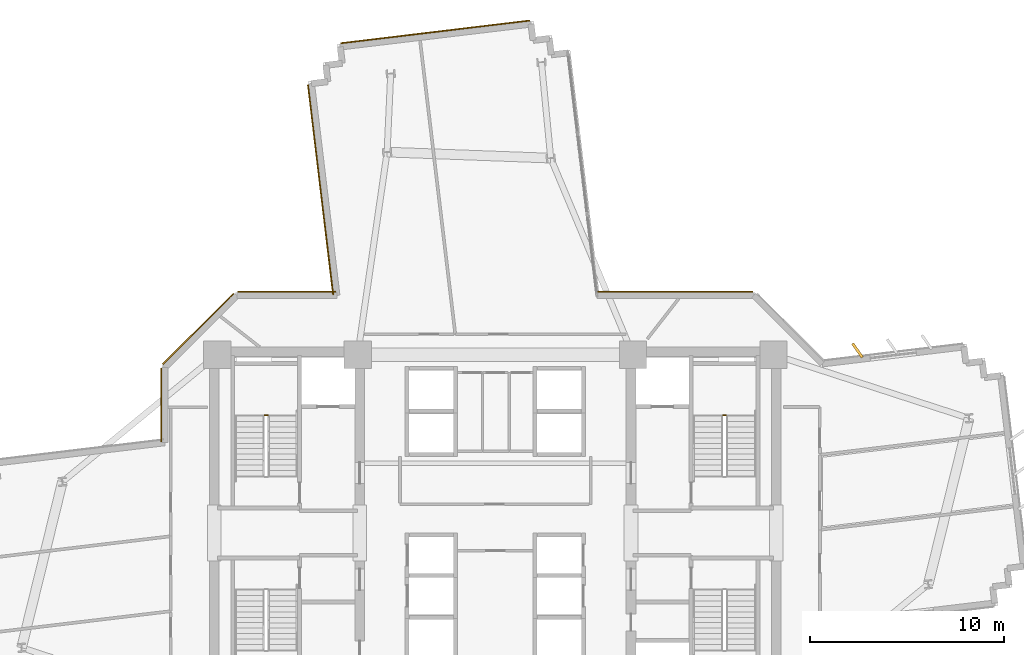
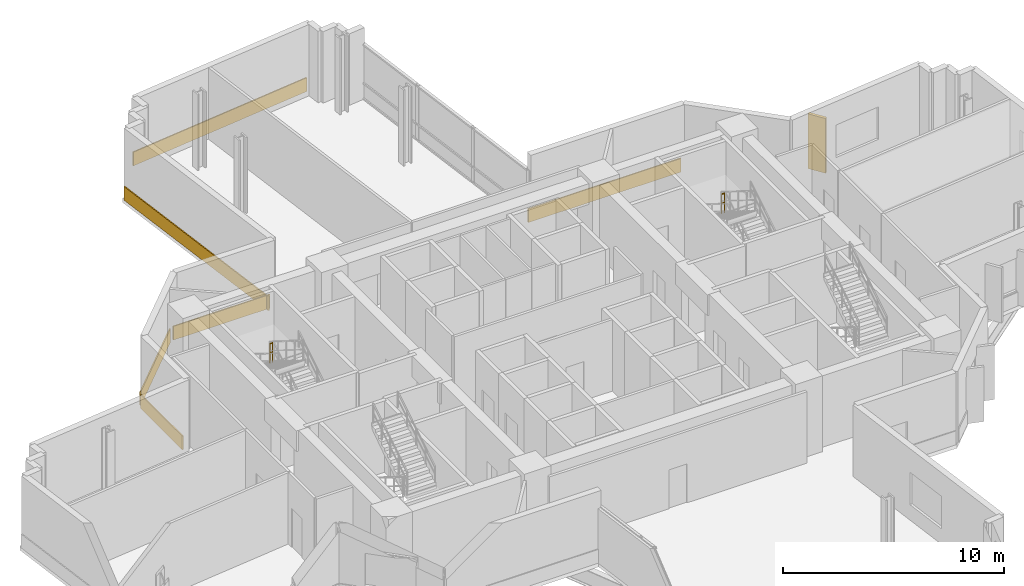
# One storey, part 14 of 15: 7 coverings, 2 railings.
"""IFC4 building model written with IfcOpenShell, lengths in metres."""

from ifc_helpers import new_model, si_unit, direction, frame, origin, origin_2d, place, context, subcontext, project, spatial, rectangle, extrude, source, transform, mapped, material, layer, layer_set, type_object, element, save


model = new_model("IFC4")

# Units and contexts
model_context = context("Model", 3, precision=1e-05, world=origin(), true_north=direction((0.0, 1.0)))
body_context = subcontext(model_context, "Body", "Model", "MODEL_VIEW")
ifc_project = project(units=[si_unit("LENGTHUNIT", "METRE"), si_unit("AREAUNIT", "SQUARE_METRE"), si_unit("VOLUMEUNIT", "CUBIC_METRE"), si_unit("PLANEANGLEUNIT", "RADIAN"), si_unit("MASSUNIT", "GRAM", prefix="KILO")], contexts=[model_context])

# Site, building, storey
site_placement = place(None, origin())
site = spatial("IfcSite", under=ifc_project, at=site_placement, CompositionType="ELEMENT")
building_placement = place(site_placement, origin())
building = spatial("IfcBuilding", under=site, at=building_placement, Name="Zahravan Cultural Tower", CompositionType="ELEMENT")
storey_placement = place(building_placement, frame((0.0, 0.0, 104.699951171875)))
storey = spatial("IfcBuildingStorey", under=building, at=storey_placement, Name="L23", CompositionType="ELEMENT", Elevation=104.699951171875)

# Railings
ifc_material_1 = material(Name="Steel ASTM A572 Grade 50", Category="steel")
railing_type = type_object("IfcRailingType", Name="RL-STAIR-GRD1150", PredefinedType="BALUSTRADE", material=ifc_material_1)
for number, where, name in (
    (1, (24.25, 33.080078125, 2.10009765625), "L23 ST-W1 stair guard 2"),
    (2, (47.89990234375, 33.080078125, 2.10009765625), "L23 ST-E1 stair guard 2"),
):
    element("IfcRailing", number, at=place(storey_placement, frame(where)), inside=storey, type_object=railing_type, Name=name, PredefinedType="BALUSTRADE", context=body_context, shape_type="SweptSolid", body=[
        extrude(rectangle(XDim=0.05, YDim=0.05, at=origin_2d()), frame((0.0, 0.0, 1.0751953125), z_axis=(-1.0, 0.0, 0.0), x_axis=(0.0, -1.0, 0.0)), (0.0, 0.0, 1.0), 0.14990234375),
        extrude(rectangle(XDim=0.032, YDim=0.032, at=origin_2d()), frame((0.0, 0.0, 0.572021484375), z_axis=(-1.0, 0.0, 0.0), x_axis=(0.0, -1.0, 0.0)), (0.0, 0.0, 1.0), 0.14990234375),
        extrude(rectangle(XDim=0.04, YDim=0.04, at=origin_2d()), origin(), (0.0, 0.0, 1.0), 1.10009765625),
        extrude(rectangle(XDim=0.04, YDim=0.04, at=origin_2d()), frame((-0.14990234375, 0.0, 0.0)), (0.0, 0.0, 1.0), 1.10009765625),
    ])

# Coverings
ifc_material_2 = material(Name="Terracotta ceramic cladding", Category="masonry")
ifc_layer = layer(ifc_material_2, 0.06005859375)
ifc_layer_set = layer_set([ifc_layer], Name="Terracotta ceramic cladding")
covering_type = type_object("IfcCoveringType", Name="COV-CLAD-TC60", PredefinedType="CLADDING", material=ifc_layer_set)
shared_shape_1 = source(origin(), body_context, "Body", "SweptSolid", [
    extrude(rectangle(XDim=9.820068359375, YDim=0.06005859375, at=origin_2d()), origin(), (0.0, 0.0, 1.0), 0.760009765625),
])
covering_1_placement = place(storey_placement, frame((32.898193359375, 52.859619140625, 0.02001953125), z_axis=(0.0, 0.0, 1.0), x_axis=(0.992884683056, 0.119079831006, 0.0)))
element("IfcCovering", 3, at=covering_1_placement, inside=storey, type_object=covering_type, Name="L23 Terracotta Spandrel Cladding 46", PredefinedType="CLADDING", context=body_context, shape_type="MappedRepresentation", body=[
    mapped(shared_shape_1, transform((0.0, 0.0, 0.0), x_axis=(1.0, 0.0, 0.0), y_axis=(0.0, 1.0, 0.0), z_axis=(0.0, 0.0, 1.0), scale=1.0)),
])
shared_shape_2 = source(origin(), body_context, "Body", "SweptSolid", [
    extrude(rectangle(XDim=5.157958984375, YDim=0.06005859375, at=origin_2d()), origin(), (0.0, 0.0, 1.0), 0.760009765625),
])
covering_2_placement = place(storey_placement, frame((20.668212890625, 37.53173828125, 0.02001953125), z_axis=(0.0, 0.0, 1.0), x_axis=(0.707106781187, 0.707106781187, 0.0)))
element("IfcCovering", 4, at=covering_2_placement, inside=storey, type_object=covering_type, Name="L23 Terracotta Spandrel Cladding 39", PredefinedType="CLADDING", context=body_context, shape_type="MappedRepresentation", body=[
    mapped(shared_shape_2, transform((0.0, 0.0, 0.0), x_axis=(1.0, 0.0, 0.0), y_axis=(0.0, 1.0, 0.0), z_axis=(0.0, 0.0, 1.0), scale=1.0)),
])
shared_shape_3 = source(origin(), body_context, "Body", "SweptSolid", [
    extrude(rectangle(XDim=0.8798828125, YDim=0.139892578125, at=origin_2d()), origin(), (0.0, 0.0, 1.0), 3.030029296875),
])
covering_3_placement = place(storey_placement, frame((54.68603515625, 36.422607421875, 0.0498046875), z_axis=(0.0, 0.0, 1.0), x_axis=(-0.571286698852, 0.820750575823, 0.0)))
element("IfcCovering", 5, at=covering_3_placement, inside=storey, type_object=covering_type, Name="L23 Herringbone Terracotta Fin 01", PredefinedType="CLADDING", context=body_context, shape_type="MappedRepresentation", body=[
    mapped(shared_shape_3, transform((0.0, 0.0, 0.0), x_axis=(1.0, 0.0, 0.0), y_axis=(0.0, 1.0, 0.0), z_axis=(0.0, 0.0, 1.0), scale=1.0)),
])
shared_shape_4 = source(origin(), body_context, "Body", "SweptSolid", [
    extrude(rectangle(XDim=3.780517578125, YDim=0.06005859375, at=origin_2d()), origin(), (0.0, 0.0, 1.0), 0.760009765625),
])
covering_4_placement = place(storey_placement, frame((18.7548828125, 33.601806640625, 0.02001953125), z_axis=(0.0, 0.0, 1.0), x_axis=(0.0, 1.0, 0.0)))
element("IfcCovering", 6, at=covering_4_placement, inside=storey, type_object=covering_type, Name="L23 Terracotta Spandrel Cladding 38", PredefinedType="CLADDING", context=body_context, shape_type="MappedRepresentation", body=[
    mapped(shared_shape_4, transform((0.0, 0.0, 0.0), x_axis=(1.0, 0.0, 0.0), y_axis=(0.0, 1.0, 0.0), z_axis=(0.0, 0.0, 1.0), scale=1.0)),
])
shared_shape_5 = source(origin(), body_context, "Body", "SweptSolid", [
    extrude(rectangle(XDim=5.063720703125, YDim=0.06005859375, at=origin_2d()), origin(), (0.0, 0.0, 1.0), 0.760009765625),
])
covering_5_placement = place(storey_placement, frame((25.23974609375, 39.445068359375, 0.02001953125), z_axis=(0.0, 0.0, 1.0), x_axis=(1.0, 0.0, 0.0)))
element("IfcCovering", 7, at=covering_5_placement, inside=storey, type_object=covering_type, Name="L23 Terracotta Spandrel Cladding 40", PredefinedType="CLADDING", context=body_context, shape_type="MappedRepresentation", body=[
    mapped(shared_shape_5, transform((0.0, 0.0, 0.0), x_axis=(1.0, 0.0, 0.0), y_axis=(0.0, 1.0, 0.0), z_axis=(0.0, 0.0, 1.0), scale=1.0)),
])
shared_shape_6 = source(origin(), body_context, "Body", "SweptSolid", [
    extrude(rectangle(XDim=10.913330078125, YDim=0.06005859375, at=origin_2d()), origin(), (0.0, 0.0, 1.0), 0.760009765625),
])
covering_6_placement = place(storey_placement, frame((26.982177734375, 44.705322265625, 0.02001953125), z_axis=(0.0, 0.0, 1.0), x_axis=(-0.119097160095, 0.99288260457, 0.0)))
element("IfcCovering", 8, at=covering_6_placement, inside=storey, type_object=covering_type, Name="L23 Terracotta Spandrel Cladding 41", PredefinedType="CLADDING", context=body_context, shape_type="MappedRepresentation", body=[
    mapped(shared_shape_6, transform((0.0, 0.0, 0.0), x_axis=(1.0, 0.0, 0.0), y_axis=(0.0, 1.0, 0.0), z_axis=(0.0, 0.0, 1.0), scale=1.0)),
])
shared_shape_7 = source(origin(), body_context, "Body", "SweptSolid", [
    extrude(rectangle(XDim=8.0048828125, YDim=0.06005859375, at=origin_2d()), origin(), (0.0, 0.0, 1.0), 0.760009765625),
])
covering_7_placement = place(storey_placement, frame((45.28955078125, 39.445068359375, 0.02001953125), z_axis=(0.0, 0.0, 1.0), x_axis=(1.0, 0.0, 0.0)))
element("IfcCovering", 9, at=covering_7_placement, inside=storey, type_object=covering_type, Name="L23 Terracotta Spandrel Cladding 51", PredefinedType="CLADDING", context=body_context, shape_type="MappedRepresentation", body=[
    mapped(shared_shape_7, transform((0.0, 0.0, 0.0), x_axis=(1.0, 0.0, 0.0), y_axis=(0.0, 1.0, 0.0), z_axis=(0.0, 0.0, 1.0), scale=1.0)),
])

save(model, "model.ifc")
